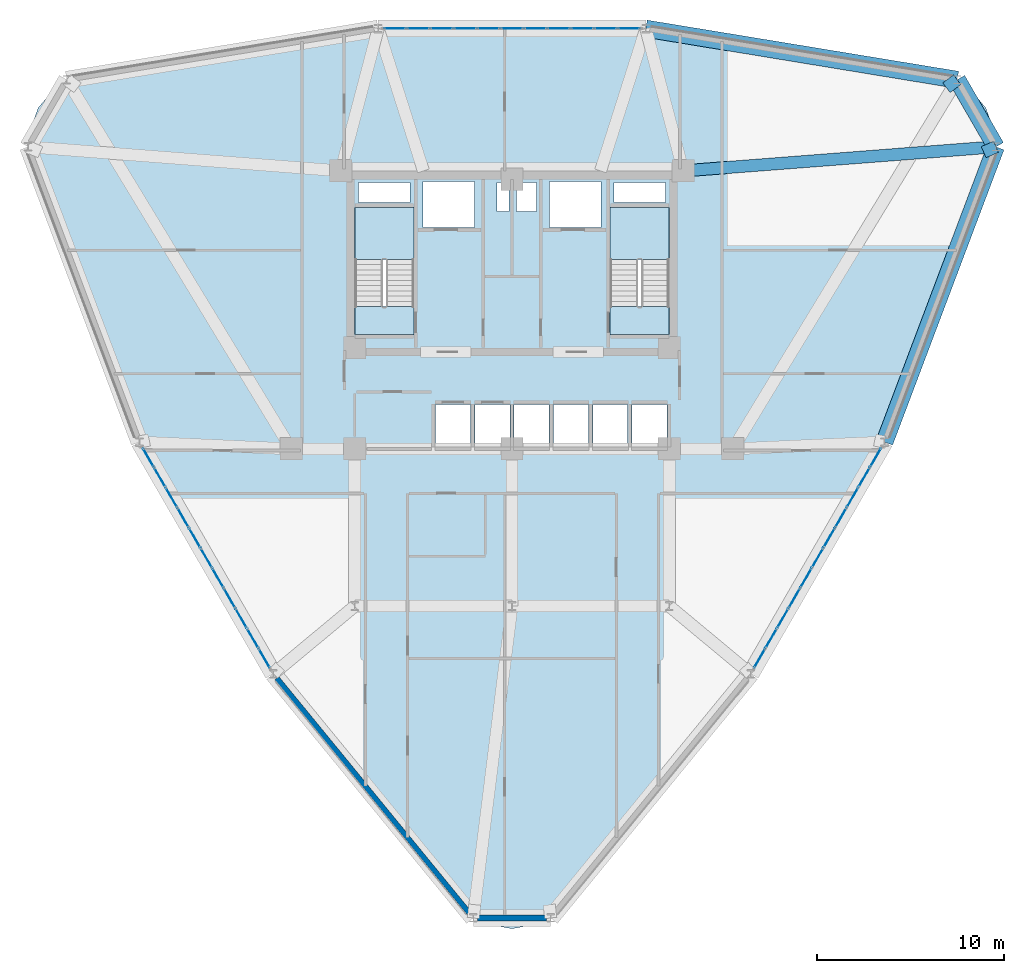
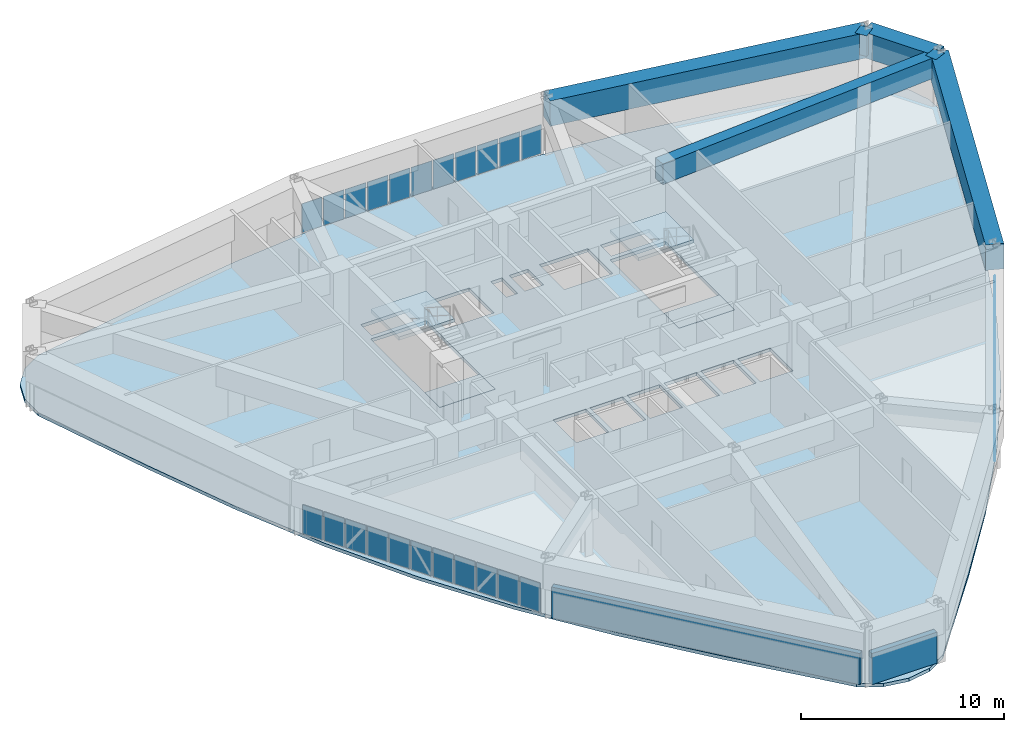
# One storey, part 11 of 16: 33 plates, 6 beams, 5 slabs, 2 walls, 5 elements without a shape of their own.
"""IFC4 building model written with IfcOpenShell, lengths in metres."""

from ifc_helpers import new_model, si_unit, derived_unit, direction, frame, frame_2d, origin, origin_2d, place, context, subcontext, project, spatial, polyline, rectangle, outline, extrude, source, transform, mapped, material, layer, layer_set, material_profile, profile_set, type_object, element, aggregate, save


model = new_model("IFC4")

# Units and contexts
model_context = context("Model", 3, precision=1e-05, world=origin(), true_north=direction((0.0, 1.0)))
body_context = subcontext(model_context, "Body", "Model", "MODEL_VIEW")
ifc_project = project(units=[si_unit("LENGTHUNIT", "METRE"), si_unit("AREAUNIT", "SQUARE_METRE"), si_unit("VOLUMEUNIT", "CUBIC_METRE"), si_unit("PLANEANGLEUNIT", "RADIAN"), si_unit("MASSUNIT", "GRAM", prefix="KILO"), derived_unit("THERMALTRANSMITTANCEUNIT", [(si_unit("POWERUNIT", "WATT"), 1), (si_unit("LENGTHUNIT", "METRE"), -2), (si_unit("THERMODYNAMICTEMPERATUREUNIT", "KELVIN"), -1)])], contexts=[model_context])

# Site, building, storey
site_placement = place(None, origin())
site = spatial("IfcSite", under=ifc_project, at=site_placement, CompositionType="ELEMENT")
building_placement = place(site_placement, origin())
building = spatial("IfcBuilding", under=site, at=building_placement, Name="Korsvarv Bourse and Concert Hall", CompositionType="ELEMENT")
storey_placement = place(building_placement, frame((0.0, 0.0, 106.199951171875)))
storey = spatial("IfcBuildingStorey", under=building, at=storey_placement, Name="L26", CompositionType="ELEMENT", Elevation=106.199951171875)

# Beams
ifc_material_1 = material(Name="Concrete C50/60", Category="concrete")
ifc_material_profile_1 = material_profile(ifc_material_1, rectangle(XDim=0.919921875, YDim=1.530029296875, at=origin_2d()), Name="RC-BM 920x1530")
ifc_profile_set_1 = profile_set([ifc_material_profile_1], Name="Concrete C50/60")
beam_type_1 = type_object("IfcBeamType", Name="BM-TR-154", PredefinedType="BEAM", material=ifc_profile_set_1)
shared_shape_1 = source(origin(), body_context, "Body", "SweptSolid", [
    extrude(rectangle(XDim=0.919921875, YDim=1.530029296875, at=origin_2d()), origin(), (0.0, 0.0, 1.0), 4.136962890625),
])
beam_1_placement = place(storey_placement, frame((61.851318359375, 48.536865234375, 2.635009765625), z_axis=(-0.500042586076, 0.866000815306, 0.0), x_axis=(-0.866000815306, -0.500042586076, 0.0)))
element("IfcBeam", 1, at=beam_1_placement, inside=storey, type_object=beam_type_1, Name="L26 beam B-TR6", PredefinedType="BEAM", context=body_context, shape_type="MappedRepresentation", body=[
    mapped(shared_shape_1, transform((0.0, 0.0, 0.0), scale=1.0)),
])
shared_shape_2 = source(origin(), body_context, "Body", "SweptSolid", [
    extrude(rectangle(XDim=0.919921875, YDim=1.530029296875, at=origin_2d()), origin(), (0.0, 0.0, 1.0), 16.856201171875),
])
for number, where, z_axis, x_axis, name in (
    (2, (59.78271484375, 52.119384765625, 2.635009765625), (-0.986776405202, 0.162087402768, 0.0), (-0.162087402768, -0.986776405202, 0.0), "L26 beam B-TR6"),
    (3, (55.900634765625, 32.765869140625, 2.635009765625), (0.353024240889, 0.935614175472, 0.0), (-0.935614175472, 0.353024240889, 0.0), "L26 beam B-TR6"),
):
    element("IfcBeam", number, at=place(storey_placement, frame(where, z_axis=z_axis, x_axis=x_axis)), inside=storey, type_object=beam_type_1, Name=name, PredefinedType="BEAM", context=body_context, shape_type="MappedRepresentation", body=[
        mapped(shared_shape_2, transform((0.0, 0.0, 0.0), scale=1.0)),
    ])
ifc_material_profile_2 = material_profile(ifc_material_1, rectangle(XDim=0.64990234375, YDim=1.239990234375, at=origin_2d()), Name="RC-BM 650x1240")
ifc_profile_set_2 = profile_set([ifc_material_profile_2], Name="Concrete C50/60")
beam_type_2 = type_object("IfcBeamType", Name="BM-TR-SPN", PredefinedType="BEAM", material=ifc_profile_set_2)
shared_shape_3 = source(origin(), body_context, "Body", "SweptSolid", [
    extrude(rectangle(XDim=0.64990234375, YDim=1.239990234375, at=origin_2d()), origin(), (0.0, 0.0, 1.0), 16.7509765625),
])
beam_2_placement = place(storey_placement, frame((61.851318359375, 48.536865234375, 2.780029296875), z_axis=(-0.997044703744, -0.076823555869, 0.0), x_axis=(0.076823555869, -0.997044703744, 0.0)))
element("IfcBeam", 4, at=beam_2_placement, inside=storey, type_object=beam_type_2, Name="L26 beam B-TRS", PredefinedType="BEAM", context=body_context, shape_type="MappedRepresentation", body=[
    mapped(shared_shape_3, transform((0.0, 0.0, 0.0), scale=1.0)),
])
shared_shape_4 = source(origin(), body_context, "Body", "SweptSolid", [
    extrude(rectangle(XDim=0.64990234375, YDim=1.239990234375, at=origin_2d()), origin(), (0.0, 0.0, 1.0), 0.7158203125),
])
beam_3_placement = place(storey_placement, frame((61.851318359375, 48.536865234375, 2.780029296875), z_axis=(-0.917086321837, -0.398688698485, 0.0), x_axis=(0.398688698485, -0.917086321837, 0.0)))
element("IfcBeam", 5, at=beam_3_placement, inside=storey, type_object=beam_type_2, Name="L26 beam B-TRS", PredefinedType="BEAM", context=body_context, shape_type="MappedRepresentation", body=[
    mapped(shared_shape_4, transform((0.0, 0.0, 0.0), scale=1.0)),
])
shared_shape_5 = source(origin(), body_context, "Body", "SweptSolid", [
    extrude(rectangle(XDim=0.64990234375, YDim=1.239990234375, at=origin_2d()), origin(), (0.0, 0.0, 1.0), 0.715576171875),
])
beam_4_placement = place(storey_placement, frame((59.78271484375, 52.119384765625, 2.780029296875), z_axis=(-0.803750540047, -0.594966443906, 0.0), x_axis=(0.594966443906, -0.803750540047, 0.0)))
element("IfcBeam", 6, at=beam_4_placement, inside=storey, type_object=beam_type_2, Name="L26 beam B-TRS", PredefinedType="BEAM", context=body_context, shape_type="MappedRepresentation", body=[
    mapped(shared_shape_5, transform((0.0, 0.0, 0.0), scale=1.0)),
])

# Slabs
ifc_material_2 = material(Name="Precast concrete C45/55", Category="concrete")
ifc_layer_1 = layer(ifc_material_2, 0.199951171875)
ifc_layer_set_1 = layer_set([ifc_layer_1], Name="Precast concrete C45/55")
slab_type_1 = type_object("IfcSlabType", Name="SLB-FLND-T", PredefinedType="LANDING", material=ifc_layer_set_1)
slab_1_placement = place(storey_placement, frame((0.0, 0.0, -0.199951171875)))
element("IfcSlab", 7, at=slab_1_placement, inside=storey, type_object=slab_type_1, Name="L26 Stair ST-T1 Floor Landing Slab", PredefinedType="LANDING", context=body_context, shape_type="SweptSolid", body=[
    extrude(outline(polyline([(30.760009765625, 38.5), (30.760009765625, 40.0), (27.60009765625, 40.0), (27.60009765625, 38.5), (30.760009765625, 38.5)])), origin(), (0.0, 0.0, 1.0), 0.199951171875),
])
slab_2_placement = place(storey_placement, frame((0.0, 0.0, -0.199951171875)))
element("IfcSlab", 8, at=slab_2_placement, inside=storey, type_object=slab_type_1, Name="L26 Stair ST-T2 Floor Landing Slab", PredefinedType="LANDING", context=body_context, shape_type="SweptSolid", body=[
    extrude(outline(polyline([(44.39990234375, 38.5), (44.39990234375, 40.0), (41.239990234375, 40.0), (41.239990234375, 38.5), (44.39990234375, 38.5)])), origin(), (0.0, 0.0, 1.0), 0.199951171875),
])

# Stair, slab
stair_type = type_object("IfcStairType", Name="STR-TYPE-04", PredefinedType="HALF_TURN_STAIR", material=ifc_material_2)
stair_1_placement = place(storey_placement, origin())
stair_1 = element("IfcStair", 9, at=stair_1_placement, inside=storey, type_object=stair_type, Name="L26 Tower West Exit Stair ST-T1", PredefinedType="HALF_TURN_STAIR")
ifc_layer_2 = layer(ifc_material_2, 0.199951171875)
ifc_layer_set_2 = layer_set([ifc_layer_2], Name="Precast concrete C45/55")
slab_type_2 = type_object("IfcSlabType", Name="SLB-ST-LND", PredefinedType="LANDING", material=ifc_layer_set_2)
slab_3_placement = place(storey_placement, frame((0.0, 0.0, 1.60009765625)))
slab_3 = element("IfcSlab", 10, at=slab_3_placement, type_object=slab_type_2, Name="ST-T1 landing 1", PredefinedType="LANDING", context=body_context, shape_type="SweptSolid", body=[
    extrude(outline(polyline([(30.760009765625, 42.52001953125), (30.760009765625, 45.300048828125), (27.60009765625, 45.300048828125), (27.60009765625, 42.52001953125), (30.760009765625, 42.52001953125)])), origin(), (0.0, 0.0, 1.0), 0.199951171875),
])
aggregate(stair_1, [slab_3])

stair_2_placement = place(storey_placement, origin())
stair_2 = element("IfcStair", 11, at=stair_2_placement, inside=storey, type_object=stair_type, Name="L26 Tower East Exit Stair ST-T2", PredefinedType="HALF_TURN_STAIR")
slab_4_placement = place(storey_placement, frame((0.0, 0.0, 1.60009765625)))
slab_4 = element("IfcSlab", 12, at=slab_4_placement, type_object=slab_type_2, Name="ST-T2 landing 1", PredefinedType="LANDING", context=body_context, shape_type="SweptSolid", body=[
    extrude(outline(polyline([(44.39990234375, 42.52001953125), (44.39990234375, 45.300048828125), (41.239990234375, 45.300048828125), (41.239990234375, 42.52001953125), (44.39990234375, 42.52001953125)])), origin(), (0.0, 0.0, 1.0), 0.199951171875),
])
aggregate(stair_2, [slab_4])

# Slab
ifc_material_3 = material(Name="Concrete C45/55", Category="concrete")
ifc_layer_3 = layer(ifc_material_3, 0.199951171875)
ifc_layer_set_3 = layer_set([ifc_layer_3], Name="Concrete C45/55")
slab_type_3 = type_object("IfcSlabType", Name="SLB-TW2", PredefinedType="FLOOR", material=ifc_layer_set_3)
slab_5_placement = place(storey_placement, frame((0.0, 0.0, -0.199951171875)))
element("IfcSlab", 13, at=slab_5_placement, inside=storey, type_object=slab_type_3, Name="L26 tower structural floor slab", PredefinedType="FLOOR", context=body_context, shape_type="SweptSolid", body=[
    extrude(outline(polyline([(61.257568359375, 46.618896484375), (59.3818359375, 41.369384765625), (57.382080078125, 36.216796875), (55.147216796875, 31.220458984375), (52.6005859375, 26.41552734375), (49.712646484375, 21.807861328125), (46.50341796875, 17.3740234375), (43.041015625, 13.06591796875), (39.4326171875, 8.81689453125), (39.429443359375, 8.81298828125), (38.47119140625, 7.671142578125), (37.31494140625, 7.003662109375), (36.0, 6.771728515625), (34.68505859375, 7.003662109375), (33.52880859375, 7.671142578125), (32.570556640625, 8.81298828125), (32.5673828125, 8.81689453125), (28.958984375, 13.06591796875), (25.49658203125, 17.3740234375), (22.287353515625, 21.807861328125), (19.3994140625, 26.41552734375), (16.852783203125, 31.220458984375), (14.617919921875, 36.216796875), (12.6181640625, 41.369384765625), (10.742431640625, 46.618896484375), (10.740478515625, 46.623779296875), (10.230712890625, 48.024169921875), (10.230712890625, 49.359375), (10.6875, 50.614013671875), (11.5458984375, 51.636962890625), (12.7021484375, 52.3046875), (14.169921875, 52.5634765625), (14.175048828125, 52.564453125), (19.6591796875, 53.564697265625), (25.12109375, 54.4091796875), (30.5654296875, 54.9716796875), (36.0, 55.168701171875), (41.4345703125, 54.9716796875), (46.87890625, 54.4091796875), (52.3408203125, 53.564697265625), (57.824951171875, 52.564453125), (57.830078125, 52.5634765625), (59.2978515625, 52.3046875), (60.4541015625, 51.636962890625), (61.3125, 50.614013671875), (61.769287109375, 49.359375), (61.769287109375, 48.024169921875), (61.259521484375, 46.623779296875), (61.257568359375, 46.618896484375)]), holes=[polyline([(30.760009765625, 38.5), (30.760009765625, 45.300048828125), (27.60009765625, 45.300048828125), (27.60009765625, 38.5), (30.760009765625, 38.5)]), polyline([(44.39990234375, 38.5), (44.39990234375, 45.300048828125), (41.239990234375, 45.300048828125), (41.239990234375, 38.5), (44.39990234375, 38.5)]), polyline([(31.239990234375, 44.219970703125), (34.0, 44.219970703125), (34.0, 46.679931640625), (31.239990234375, 46.679931640625), (31.239990234375, 44.219970703125)]), polyline([(38.0, 44.219970703125), (40.760009765625, 44.219970703125), (40.760009765625, 46.679931640625), (38.0, 46.679931640625), (38.0, 44.219970703125)]), polyline([(31.919921875, 32.52001953125), (33.780029296875, 32.52001953125), (33.780029296875, 34.780029296875), (31.919921875, 34.780029296875), (31.919921875, 32.52001953125)]), polyline([(34.02001953125, 32.52001953125), (35.8798828125, 32.52001953125), (35.8798828125, 34.780029296875), (34.02001953125, 34.780029296875), (34.02001953125, 32.52001953125)]), polyline([(36.1201171875, 32.52001953125), (37.97998046875, 32.52001953125), (37.97998046875, 34.780029296875), (36.1201171875, 34.780029296875), (36.1201171875, 32.52001953125)]), polyline([(38.219970703125, 32.52001953125), (40.080078125, 32.52001953125), (40.080078125, 34.780029296875), (38.219970703125, 34.780029296875), (38.219970703125, 32.52001953125)]), polyline([(40.320068359375, 32.52001953125), (42.179931640625, 32.52001953125), (42.179931640625, 34.780029296875), (40.320068359375, 34.780029296875), (40.320068359375, 32.52001953125)]), polyline([(42.419921875, 32.52001953125), (44.280029296875, 32.52001953125), (44.280029296875, 34.780029296875), (42.419921875, 34.780029296875), (42.419921875, 32.52001953125)]), polyline([(27.800048828125, 45.56005859375), (30.56005859375, 45.56005859375), (30.56005859375, 46.6201171875), (27.800048828125, 46.6201171875), (27.800048828125, 45.56005859375)]), polyline([(41.43994140625, 45.56005859375), (44.199951171875, 45.56005859375), (44.199951171875, 46.6201171875), (41.43994140625, 46.6201171875), (41.43994140625, 45.56005859375)]), polyline([(35.199951171875, 45.080078125), (35.840087890625, 45.080078125), (35.840087890625, 46.6201171875), (35.199951171875, 46.6201171875), (35.199951171875, 45.080078125)]), polyline([(36.239990234375, 45.080078125), (37.320068359375, 45.080078125), (37.320068359375, 46.6201171875), (36.239990234375, 46.6201171875), (36.239990234375, 45.080078125)])]), origin(), (0.0, 0.0, 1.0), 0.199951171875),
])

# Curtain wall, plates
ifc_material_4 = material(Name="Anodised aluminium and triple low-E glazing", Category="glass")
ifc_layer_4 = layer(ifc_material_4, 0.2099609375)
ifc_layer_set_4 = layer_set([ifc_layer_4], Name="Anodised aluminium and triple low-E glazing")
curtain_wall_type = type_object("IfcCurtainWallType", Name="CW-SYS-2", PredefinedType="NOTDEFINED", material=ifc_layer_set_4)
curtain_wall_1_placement = place(storey_placement, origin())
curtain_wall_1 = element("IfcCurtainWall", 14, at=curtain_wall_1_placement, inside=storey, type_object=curtain_wall_type, Name="L26 CW2 curtain wall CW-L26-F03", PredefinedType="NOTDEFINED")
ifc_material_5 = material(Name="Tempered triple insulated low-E architectural glass", Category="glass")
ifc_layer_5 = layer(ifc_material_5, 0.0380859375)
ifc_layer_set_5 = layer_set([ifc_layer_5], Name="Tempered triple insulated low-E architectural glass")
plate_type_1 = type_object("IfcPlateType", Name="CWP-VIS2", PredefinedType="CURTAIN_PANEL", material=ifc_layer_set_5)
shared_shape_6 = source(origin(), body_context, "Body", "SweptSolid", [
    extrude(rectangle(XDim=1.147705078125, YDim=0.0380859375, at=origin_2d()), origin(), (0.0, 0.0, 1.0), 1.739990234375),
])
plate_1_placement = place(storey_placement, frame((42.24658203125, 54.8515625, 0.06494140625), z_axis=(0.0, 0.0, 1.0), x_axis=(-1.0, 0.0, 0.0)))
plate_1 = element("IfcPlate", 15, at=plate_1_placement, type_object=plate_type_1, Name="CW2 faceted panel 1.1", PredefinedType="CURTAIN_PANEL", context=body_context, shape_type="MappedRepresentation", body=[
    mapped(shared_shape_6, transform((0.0, 0.0, 0.0), scale=1.0)),
])
plate_2_placement = place(storey_placement, frame((29.75341796875, 54.8515625, 0.06494140625), z_axis=(0.0, 0.0, 1.0), x_axis=(-1.0, 0.0, 0.0)))
plate_2 = element("IfcPlate", 16, at=plate_2_placement, type_object=plate_type_1, Name="CW2 faceted panel 11.1", PredefinedType="CURTAIN_PANEL", context=body_context, shape_type="MappedRepresentation", body=[
    mapped(shared_shape_6, transform((0.0, 0.0, 0.0), scale=1.0)),
])
shared_shape_7 = source(origin(), body_context, "Body", "SweptSolid", [
    extrude(rectangle(XDim=1.182861328125, YDim=0.0380859375, at=origin_2d()), origin(), (0.0, 0.0, 1.0), 1.739990234375),
])
plate_3_placement = place(storey_placement, frame((41.01123046875, 54.8515625, 0.06494140625), z_axis=(0.0, 0.0, 1.0), x_axis=(-1.0, 0.0, 0.0)))
plate_3 = element("IfcPlate", 17, at=plate_3_placement, type_object=plate_type_1, Name="CW2 faceted panel 2.1", PredefinedType="CURTAIN_PANEL", context=body_context, shape_type="MappedRepresentation", body=[
    mapped(shared_shape_7, transform((0.0, 0.0, 0.0), scale=1.0)),
])
plate_4_placement = place(storey_placement, frame((38.505615234375, 54.8515625, 0.06494140625), z_axis=(0.0, 0.0, 1.0), x_axis=(-1.0, 0.0, 0.0)))
plate_4 = element("IfcPlate", 18, at=plate_4_placement, type_object=plate_type_1, Name="CW2 faceted panel 4.1", PredefinedType="CURTAIN_PANEL", context=body_context, shape_type="MappedRepresentation", body=[
    mapped(shared_shape_7, transform((0.0, 0.0, 0.0), scale=1.0)),
])
plate_5_placement = place(storey_placement, frame((37.252685546875, 54.8515625, 0.06494140625), z_axis=(0.0, 0.0, 1.0), x_axis=(-1.0, 0.0, 0.0)))
plate_5 = element("IfcPlate", 19, at=plate_5_placement, type_object=plate_type_1, Name="CW2 faceted panel 5.1", PredefinedType="CURTAIN_PANEL", context=body_context, shape_type="MappedRepresentation", body=[
    mapped(shared_shape_7, transform((0.0, 0.0, 0.0), scale=1.0)),
])
plate_6_placement = place(storey_placement, frame((34.747314453125, 54.8515625, 0.06494140625), z_axis=(0.0, 0.0, 1.0), x_axis=(-1.0, 0.0, 0.0)))
plate_6 = element("IfcPlate", 20, at=plate_6_placement, type_object=plate_type_1, Name="CW2 faceted panel 7.1", PredefinedType="CURTAIN_PANEL", context=body_context, shape_type="MappedRepresentation", body=[
    mapped(shared_shape_7, transform((0.0, 0.0, 0.0), scale=1.0)),
])
plate_7_placement = place(storey_placement, frame((33.494384765625, 54.8515625, 0.06494140625), z_axis=(0.0, 0.0, 1.0), x_axis=(-1.0, 0.0, 0.0)))
plate_7 = element("IfcPlate", 21, at=plate_7_placement, type_object=plate_type_1, Name="CW2 faceted panel 8.1", PredefinedType="CURTAIN_PANEL", context=body_context, shape_type="MappedRepresentation", body=[
    mapped(shared_shape_7, transform((0.0, 0.0, 0.0), scale=1.0)),
])
plate_8_placement = place(storey_placement, frame((30.98876953125, 54.8515625, 0.06494140625), z_axis=(0.0, 0.0, 1.0), x_axis=(-1.0, 0.0, 0.0)))
plate_8 = element("IfcPlate", 22, at=plate_8_placement, type_object=plate_type_1, Name="CW2 faceted panel 10.1", PredefinedType="CURTAIN_PANEL", context=body_context, shape_type="MappedRepresentation", body=[
    mapped(shared_shape_7, transform((0.0, 0.0, 0.0), scale=1.0)),
])
ifc_material_6 = material(Name="Insulated spandrel glass", Category="glass")
ifc_layer_6 = layer(ifc_material_6, 0.031982421875)
ifc_layer_set_6 = layer_set([ifc_layer_6], Name="Insulated spandrel glass")
plate_type_2 = type_object("IfcPlateType", Name="CWP-SPD1", PredefinedType="CURTAIN_PANEL", material=ifc_layer_set_6)
shared_shape_8 = source(origin(), body_context, "Body", "SweptSolid", [
    extrude(rectangle(XDim=1.182861328125, YDim=0.031982421875, at=origin_2d()), origin(), (0.0, 0.0, 1.0), 1.739990234375),
])
plate_9_placement = place(storey_placement, frame((39.75830078125, 54.8515625, 0.06494140625), z_axis=(0.0, 0.0, 1.0), x_axis=(-1.0, 0.0, 0.0)))
plate_9 = element("IfcPlate", 23, at=plate_9_placement, type_object=plate_type_2, Name="CW2 spandrel shadow-box panel 3.1", PredefinedType="CURTAIN_PANEL", context=body_context, shape_type="MappedRepresentation", body=[
    mapped(shared_shape_8, transform((0.0, 0.0, 0.0), scale=1.0)),
])
plate_10_placement = place(storey_placement, frame((36.0, 54.8515625, 0.06494140625), z_axis=(0.0, 0.0, 1.0), x_axis=(-1.0, 0.0, 0.0)))
plate_10 = element("IfcPlate", 24, at=plate_10_placement, type_object=plate_type_2, Name="CW2 spandrel shadow-box panel 6.1", PredefinedType="CURTAIN_PANEL", context=body_context, shape_type="MappedRepresentation", body=[
    mapped(shared_shape_8, transform((0.0, 0.0, 0.0), scale=1.0)),
])
plate_11_placement = place(storey_placement, frame((32.24169921875, 54.8515625, 0.06494140625), z_axis=(0.0, 0.0, 1.0), x_axis=(-1.0, 0.0, 0.0)))
plate_11 = element("IfcPlate", 25, at=plate_11_placement, type_object=plate_type_2, Name="CW2 spandrel shadow-box panel 9.1", PredefinedType="CURTAIN_PANEL", context=body_context, shape_type="MappedRepresentation", body=[
    mapped(shared_shape_8, transform((0.0, 0.0, 0.0), scale=1.0)),
])
aggregate(curtain_wall_1, [plate_1, plate_3, plate_9, plate_4, plate_5, plate_10, plate_6, plate_7, plate_11, plate_8, plate_2])

curtain_wall_2_placement = place(storey_placement, origin())
curtain_wall_2 = element("IfcCurtainWall", 26, at=curtain_wall_2_placement, inside=storey, type_object=curtain_wall_type, Name="L26 CW2 curtain wall CW-L26-F07", PredefinedType="NOTDEFINED")
shared_shape_9 = source(origin(), body_context, "Body", "SweptSolid", [
    extrude(rectangle(XDim=1.13671875, YDim=0.0380859375, at=origin_2d()), origin(), (0.0, 0.0, 1.0), 1.739990234375),
])
plate_12_placement = place(storey_placement, frame((16.578857421875, 31.935546875, 0.06494140625), z_axis=(0.0, 0.0, 1.0), x_axis=(0.500002376695, -0.866024031595, 0.0)))
plate_12 = element("IfcPlate", 27, at=plate_12_placement, type_object=plate_type_1, Name="CW2 faceted panel 1.1", PredefinedType="CURTAIN_PANEL", context=body_context, shape_type="MappedRepresentation", body=[
    mapped(shared_shape_9, transform((0.0, 0.0, 0.0), scale=1.0)),
])
plate_13_placement = place(storey_placement, frame((22.76953125, 21.212890625, 0.06494140625), z_axis=(0.0, 0.0, 1.0), x_axis=(0.500002376695, -0.866024031595, 0.0)))
plate_13 = element("IfcPlate", 28, at=plate_13_placement, type_object=plate_type_1, Name="CW2 faceted panel 11.1", PredefinedType="CURTAIN_PANEL", context=body_context, shape_type="MappedRepresentation", body=[
    mapped(shared_shape_9, transform((0.0, 0.0, 0.0), scale=1.0)),
])

curtain_wall_3_placement = place(storey_placement, origin())
curtain_wall_3 = element("IfcCurtainWall", 29, at=curtain_wall_3_placement, inside=storey, type_object=curtain_wall_type, Name="L26 CW2 curtain wall CW-L26-F11", PredefinedType="NOTDEFINED")
plate_14_placement = place(storey_placement, frame((49.23046875, 21.212890625, 0.06494140625), z_axis=(0.0, 0.0, 1.0), x_axis=(0.500002376695, 0.866024031595, 0.0)))
plate_14 = element("IfcPlate", 30, at=plate_14_placement, type_object=plate_type_1, Name="CW2 faceted panel 1.1", PredefinedType="CURTAIN_PANEL", context=body_context, shape_type="MappedRepresentation", body=[
    mapped(shared_shape_9, transform((0.0, 0.0, 0.0), scale=1.0)),
])
plate_15_placement = place(storey_placement, frame((55.421142578125, 31.935546875, 0.06494140625), z_axis=(0.0, 0.0, 1.0), x_axis=(0.500002376695, 0.866024031595, 0.0)))
plate_15 = element("IfcPlate", 31, at=plate_15_placement, type_object=plate_type_1, Name="CW2 faceted panel 11.1", PredefinedType="CURTAIN_PANEL", context=body_context, shape_type="MappedRepresentation", body=[
    mapped(shared_shape_9, transform((0.0, 0.0, 0.0), scale=1.0)),
])

# Plate
shared_shape_10 = source(origin(), body_context, "Body", "SweptSolid", [
    extrude(rectangle(XDim=1.171630859375, YDim=0.0380859375, at=origin_2d()), origin(), (0.0, 0.0, 1.0), 1.739990234375),
])
plate_16_placement = place(storey_placement, frame((17.19091796875, 30.87548828125, 0.06494140625), z_axis=(0.0, 0.0, 1.0), x_axis=(0.500002376695, -0.866024031595, 0.0)))
plate_16 = element("IfcPlate", 32, at=plate_16_placement, type_object=plate_type_1, Name="CW2 faceted panel 2.1", PredefinedType="CURTAIN_PANEL", context=body_context, shape_type="MappedRepresentation", body=[
    mapped(shared_shape_10, transform((0.0, 0.0, 0.0), scale=1.0)),
])

plate_17_placement = place(storey_placement, frame((18.432373046875, 28.724853515625, 0.06494140625), z_axis=(0.0, 0.0, 1.0), x_axis=(0.500002376695, -0.866024031595, 0.0)))
plate_17 = element("IfcPlate", 33, at=plate_17_placement, type_object=plate_type_1, Name="CW2 faceted panel 4.1", PredefinedType="CURTAIN_PANEL", context=body_context, shape_type="MappedRepresentation", body=[
    mapped(shared_shape_10, transform((0.0, 0.0, 0.0), scale=1.0)),
])

plate_18_placement = place(storey_placement, frame((19.05322265625, 27.6494140625, 0.06494140625), z_axis=(0.0, 0.0, 1.0), x_axis=(0.500002376695, -0.866024031595, 0.0)))
plate_18 = element("IfcPlate", 34, at=plate_18_placement, type_object=plate_type_1, Name="CW2 faceted panel 5.1", PredefinedType="CURTAIN_PANEL", context=body_context, shape_type="MappedRepresentation", body=[
    mapped(shared_shape_10, transform((0.0, 0.0, 0.0), scale=1.0)),
])

plate_19_placement = place(storey_placement, frame((20.294921875, 25.4990234375, 0.06494140625), z_axis=(0.0, 0.0, 1.0), x_axis=(0.500002376695, -0.866024031595, 0.0)))
plate_19 = element("IfcPlate", 35, at=plate_19_placement, type_object=plate_type_1, Name="CW2 faceted panel 7.1", PredefinedType="CURTAIN_PANEL", context=body_context, shape_type="MappedRepresentation", body=[
    mapped(shared_shape_10, transform((0.0, 0.0, 0.0), scale=1.0)),
])

plate_20_placement = place(storey_placement, frame((20.915771484375, 24.423583984375, 0.06494140625), z_axis=(0.0, 0.0, 1.0), x_axis=(0.500002376695, -0.866024031595, 0.0)))
plate_20 = element("IfcPlate", 36, at=plate_20_placement, type_object=plate_type_1, Name="CW2 faceted panel 8.1", PredefinedType="CURTAIN_PANEL", context=body_context, shape_type="MappedRepresentation", body=[
    mapped(shared_shape_10, transform((0.0, 0.0, 0.0), scale=1.0)),
])

plate_21_placement = place(storey_placement, frame((22.157470703125, 22.273193359375, 0.06494140625), z_axis=(0.0, 0.0, 1.0), x_axis=(0.500002376695, -0.866024031595, 0.0)))
plate_21 = element("IfcPlate", 37, at=plate_21_placement, type_object=plate_type_1, Name="CW2 faceted panel 10.1", PredefinedType="CURTAIN_PANEL", context=body_context, shape_type="MappedRepresentation", body=[
    mapped(shared_shape_10, transform((0.0, 0.0, 0.0), scale=1.0)),
])

plate_22_placement = place(storey_placement, frame((49.842529296875, 22.273193359375, 0.06494140625), z_axis=(0.0, 0.0, 1.0), x_axis=(0.500002376695, 0.866024031595, 0.0)))
plate_22 = element("IfcPlate", 38, at=plate_22_placement, type_object=plate_type_1, Name="CW2 faceted panel 2.1", PredefinedType="CURTAIN_PANEL", context=body_context, shape_type="MappedRepresentation", body=[
    mapped(shared_shape_10, transform((0.0, 0.0, 0.0), scale=1.0)),
])

plate_23_placement = place(storey_placement, frame((51.084228515625, 24.423583984375, 0.06494140625), z_axis=(0.0, 0.0, 1.0), x_axis=(0.500002376695, 0.866024031595, 0.0)))
plate_23 = element("IfcPlate", 39, at=plate_23_placement, type_object=plate_type_1, Name="CW2 faceted panel 4.1", PredefinedType="CURTAIN_PANEL", context=body_context, shape_type="MappedRepresentation", body=[
    mapped(shared_shape_10, transform((0.0, 0.0, 0.0), scale=1.0)),
])

plate_24_placement = place(storey_placement, frame((51.705078125, 25.4990234375, 0.06494140625), z_axis=(0.0, 0.0, 1.0), x_axis=(0.500002376695, 0.866024031595, 0.0)))
plate_24 = element("IfcPlate", 40, at=plate_24_placement, type_object=plate_type_1, Name="CW2 faceted panel 5.1", PredefinedType="CURTAIN_PANEL", context=body_context, shape_type="MappedRepresentation", body=[
    mapped(shared_shape_10, transform((0.0, 0.0, 0.0), scale=1.0)),
])

plate_25_placement = place(storey_placement, frame((52.94677734375, 27.6494140625, 0.06494140625), z_axis=(0.0, 0.0, 1.0), x_axis=(0.500002376695, 0.866024031595, 0.0)))
plate_25 = element("IfcPlate", 41, at=plate_25_placement, type_object=plate_type_1, Name="CW2 faceted panel 7.1", PredefinedType="CURTAIN_PANEL", context=body_context, shape_type="MappedRepresentation", body=[
    mapped(shared_shape_10, transform((0.0, 0.0, 0.0), scale=1.0)),
])

plate_26_placement = place(storey_placement, frame((53.567626953125, 28.724853515625, 0.06494140625), z_axis=(0.0, 0.0, 1.0), x_axis=(0.500002376695, 0.866024031595, 0.0)))
plate_26 = element("IfcPlate", 42, at=plate_26_placement, type_object=plate_type_1, Name="CW2 faceted panel 8.1", PredefinedType="CURTAIN_PANEL", context=body_context, shape_type="MappedRepresentation", body=[
    mapped(shared_shape_10, transform((0.0, 0.0, 0.0), scale=1.0)),
])

plate_27_placement = place(storey_placement, frame((54.80908203125, 30.87548828125, 0.06494140625), z_axis=(0.0, 0.0, 1.0), x_axis=(0.500002376695, 0.866024031595, 0.0)))
plate_27 = element("IfcPlate", 43, at=plate_27_placement, type_object=plate_type_1, Name="CW2 faceted panel 10.1", PredefinedType="CURTAIN_PANEL", context=body_context, shape_type="MappedRepresentation", body=[
    mapped(shared_shape_10, transform((0.0, 0.0, 0.0), scale=1.0)),
])

shared_shape_11 = source(origin(), body_context, "Body", "SweptSolid", [
    extrude(rectangle(XDim=1.171630859375, YDim=0.031982421875, at=origin_2d()), origin(), (0.0, 0.0, 1.0), 1.739990234375),
])
plate_28_placement = place(storey_placement, frame((17.8115234375, 29.800048828125, 0.06494140625), z_axis=(0.0, 0.0, 1.0), x_axis=(0.500002376695, -0.866024031595, 0.0)))
plate_28 = element("IfcPlate", 44, at=plate_28_placement, type_object=plate_type_2, Name="CW2 spandrel shadow-box panel 3.1", PredefinedType="CURTAIN_PANEL", context=body_context, shape_type="MappedRepresentation", body=[
    mapped(shared_shape_11, transform((0.0, 0.0, 0.0), scale=1.0)),
])

plate_29_placement = place(storey_placement, frame((19.674072265625, 26.57421875, 0.06494140625), z_axis=(0.0, 0.0, 1.0), x_axis=(0.500002376695, -0.866024031595, 0.0)))
plate_29 = element("IfcPlate", 45, at=plate_29_placement, type_object=plate_type_2, Name="CW2 spandrel shadow-box panel 6.1", PredefinedType="CURTAIN_PANEL", context=body_context, shape_type="MappedRepresentation", body=[
    mapped(shared_shape_11, transform((0.0, 0.0, 0.0), scale=1.0)),
])

plate_30_placement = place(storey_placement, frame((21.53662109375, 23.348388671875, 0.06494140625), z_axis=(0.0, 0.0, 1.0), x_axis=(0.500002376695, -0.866024031595, 0.0)))
plate_30 = element("IfcPlate", 46, at=plate_30_placement, type_object=plate_type_2, Name="CW2 spandrel shadow-box panel 9.1", PredefinedType="CURTAIN_PANEL", context=body_context, shape_type="MappedRepresentation", body=[
    mapped(shared_shape_11, transform((0.0, 0.0, 0.0), scale=1.0)),
])

aggregate(curtain_wall_2, [plate_12, plate_16, plate_28, plate_17, plate_18, plate_29, plate_19, plate_20, plate_30, plate_21, plate_13])

plate_31_placement = place(storey_placement, frame((50.46337890625, 23.348388671875, 0.06494140625), z_axis=(0.0, 0.0, 1.0), x_axis=(0.500002376695, 0.866024031595, 0.0)))
plate_31 = element("IfcPlate", 47, at=plate_31_placement, type_object=plate_type_2, Name="CW2 spandrel shadow-box panel 3.1", PredefinedType="CURTAIN_PANEL", context=body_context, shape_type="MappedRepresentation", body=[
    mapped(shared_shape_11, transform((0.0, 0.0, 0.0), scale=1.0)),
])

plate_32_placement = place(storey_placement, frame((52.325927734375, 26.57421875, 0.06494140625), z_axis=(0.0, 0.0, 1.0), x_axis=(0.500002376695, 0.866024031595, 0.0)))
plate_32 = element("IfcPlate", 48, at=plate_32_placement, type_object=plate_type_2, Name="CW2 spandrel shadow-box panel 6.1", PredefinedType="CURTAIN_PANEL", context=body_context, shape_type="MappedRepresentation", body=[
    mapped(shared_shape_11, transform((0.0, 0.0, 0.0), scale=1.0)),
])

plate_33_placement = place(storey_placement, frame((54.1884765625, 29.800048828125, 0.06494140625), z_axis=(0.0, 0.0, 1.0), x_axis=(0.500002376695, 0.866024031595, 0.0)))
plate_33 = element("IfcPlate", 49, at=plate_33_placement, type_object=plate_type_2, Name="CW2 spandrel shadow-box panel 9.1", PredefinedType="CURTAIN_PANEL", context=body_context, shape_type="MappedRepresentation", body=[
    mapped(shared_shape_11, transform((0.0, 0.0, 0.0), scale=1.0)),
])

aggregate(curtain_wall_3, [plate_14, plate_22, plate_31, plate_23, plate_24, plate_32, plate_25, plate_26, plate_33, plate_27, plate_15])

# Walls
ifc_material_7 = material(Name="Precast concrete C45/55 with terracotta rainscreen", Category="concrete")
ifc_layer_7 = layer(ifc_material_7, 0.300048828125)
ifc_layer_set_7 = layer_set([ifc_layer_7], Name="Precast concrete C45/55 with terracotta rainscreen")
wall_type_1 = type_object("IfcWallType", Name="WL-EXT-TC1", PredefinedType="SOLIDWALL", material=ifc_layer_set_7)
wall_1_placement = place(storey_placement, frame((34.1455078125, 7.34375, 0.0), z_axis=(0.0, 0.0, 1.0), x_axis=(1.0, 0.0, 0.0)))
element("IfcWall", 50, at=wall_1_placement, inside=storey, type_object=wall_type_1, Name="L26 terracotta exterior wall EW-L26-B09", PredefinedType="SOLIDWALL", context=body_context, shape_type="SweptSolid", body=[
    extrude(rectangle(XDim=3.708984375, YDim=0.300048828125, at=frame_2d((1.8544921875, 0.0))), origin(), (0.0, 0.0, 1.0), 1.8701171875),
])
ifc_material_8 = material(Name="Precast concrete C45/55 with fluted terracotta pier", Category="concrete")
ifc_layer_8 = layer(ifc_material_8, 0.280029296875)
ifc_layer_set_8 = layer_set([ifc_layer_8], Name="Precast concrete C45/55 with fluted terracotta pier")
wall_type_2 = type_object("IfcWallType", Name="WL-EXT-TC2", PredefinedType="SOLIDWALL", material=ifc_layer_set_8)
wall_2_placement = place(storey_placement, frame((23.439208984375, 20.150146484375, 0.0), z_axis=(0.0, 0.0, 1.0), x_axis=(0.633768446385, -0.773522822137, 0.0)))
element("IfcWall", 51, at=wall_2_placement, inside=storey, type_object=wall_type_2, Name="L26 terracotta exterior wall EW-L26-B08", PredefinedType="SOLIDWALL", context=body_context, shape_type="SweptSolid", body=[
    extrude(rectangle(XDim=16.255126953125, YDim=0.280029296875, at=frame_2d((8.12744140625, 0.0))), origin(), (0.0, 0.0, 1.0), 1.8701171875),
])

save(model, "model.ifc")
